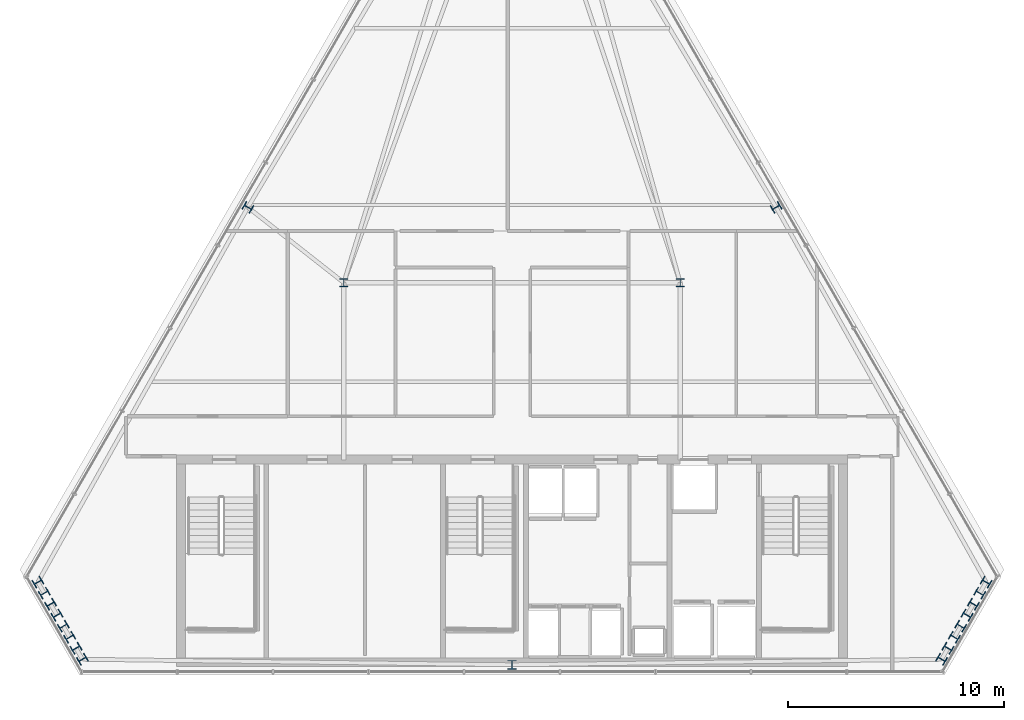
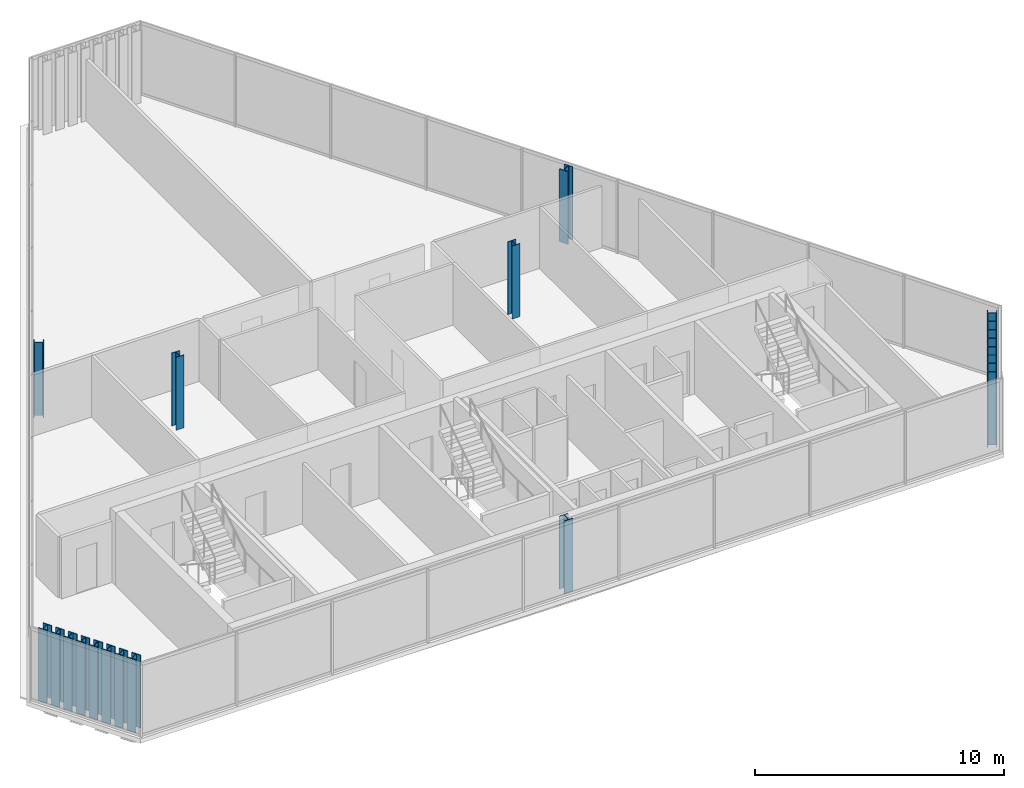
# One storey, part 1 of 35: 21 columns.
"""IFC4 building model written with IfcOpenShell, lengths in metres."""

from ifc_helpers import new_model, si_unit, direction, frame, origin, origin_2d, place, context, subcontext, project, spatial, i_section, extrude, material, material_profile, profile_set, type_object, element, save


model = new_model("IFC4")

# Units and contexts
model_context = context("Model", 3, precision=1e-05, world=origin(), true_north=direction((0.0, 1.0)))
body_context = subcontext(model_context, "Body", "Model", "MODEL_VIEW")
ifc_project = project(units=[si_unit("LENGTHUNIT", "METRE"), si_unit("AREAUNIT", "SQUARE_METRE"), si_unit("VOLUMEUNIT", "CUBIC_METRE"), si_unit("PLANEANGLEUNIT", "RADIAN"), si_unit("MASSUNIT", "GRAM", prefix="KILO")], contexts=[model_context])

# Site, building, storey
site_placement = place(None, origin())
site = spatial("IfcSite", under=ifc_project, at=site_placement, CompositionType="ELEMENT")
building_placement = place(site_placement, origin())
building = spatial("IfcBuilding", under=site, at=building_placement, Name="Ndaravel Arena Tower", CompositionType="ELEMENT")
storey_placement = place(building_placement, frame((0.0, 0.0, 271.199951171875)))
storey = spatial("IfcBuildingStorey", under=building, at=storey_placement, Name="L66", CompositionType="ELEMENT", Elevation=271.199951171875)

# Columns
ifc_material_1 = material(Name="Steel S355", Category="steel")
ifc_material_profile_1 = material_profile(ifc_material_1, i_section(OverallWidth=0.374755859375, OverallDepth=0.37451171875, WebThickness=0.0166015625, FlangeThickness=0.027099609375, FilletRadius=0.01513671875, at=origin_2d()), Name="UC 356x368x202")
ifc_profile_set_1 = profile_set([ifc_material_profile_1], Name="Steel S355")
column_type_1 = type_object("IfcColumnType", Name="COL-CRN-UC202", PredefinedType="COLUMN", material=ifc_profile_set_1)
for number, where, z_axis, x_axis, name in (
    (1, (34.199951171875, 23.199951171875, 0.0), (0.0, 0.0, 1.0), (1.0, 0.0, 0.0), "L66 Interior Spine Column IC-01"),
    (2, (49.800048828125, 23.199951171875, 0.0), (0.0, 0.0, 1.0), (1.0, 0.0, 0.0), "L66 Interior Spine Column IC-02"),
):
    element("IfcColumn", number, at=place(storey_placement, frame(where, z_axis=z_axis, x_axis=x_axis)), inside=storey, type_object=column_type_1, Name=name, PredefinedType="COLUMN", context=body_context, shape_type="SweptSolid", body=[
        extrude(i_section(OverallWidth=0.374755859375, OverallDepth=0.37451171875, WebThickness=0.0166015625, FlangeThickness=0.027099609375, FilletRadius=0.01513671875, at=origin_2d()), origin(), (0.0, 0.0, 1.0), 3.580078125),
    ])
ifc_material_2 = material(Name="Steel S355", Category="steel")
ifc_material_profile_2 = material_profile(ifc_material_2, i_section(OverallWidth=0.406005859375, OverallDepth=0.416015625, WebThickness=0.02978515625, FlangeThickness=0.03662109375, FilletRadius=0.014892578125, at=origin_2d()), Name="HD 400x382")
ifc_profile_set_2 = profile_set([ifc_material_profile_2], Name="Steel S355")
column_type_2 = type_object("IfcColumnType", Name="COL-TUBE-HD382", PredefinedType="COLUMN", material=ifc_profile_set_2)
for number, where, z_axis, x_axis, name in (
    (3, (42.0, 5.47998046875, 0.0), (0.0, 0.0, 1.0), (1.0, 0.0, 0.0), "L66 Framed Tube Column TC-01"),
    (4, (61.921875, 5.735595703125, 0.0), (0.0, 0.0, 1.0), (0.5, 0.866025403784, 0.0), "L66 Framed Tube Column TC-02"),
    (5, (62.216796875, 6.246337890625, 0.0), (0.0, 0.0, 1.0), (0.5, 0.866025403784, 0.0), "L66 Framed Tube Column TC-03"),
    (6, (62.511962890625, 6.75732421875, 0.0), (0.0, 0.0, 1.0), (0.5, 0.866025403784, 0.0), "L66 Framed Tube Column TC-04"),
    (7, (62.806884765625, 7.268310546875, 0.0), (0.0, 0.0, 1.0), (0.5, 0.866025403784, 0.0), "L66 Framed Tube Column TC-05"),
    (8, (63.101806640625, 7.779296875, 0.0), (0.0, 0.0, 1.0), (0.5, 0.866025403784, 0.0), "L66 Framed Tube Column TC-06"),
    (9, (63.39697265625, 8.290283203125, 0.0), (0.0, 0.0, 1.0), (0.5, 0.866025403784, 0.0), "L66 Framed Tube Column TC-07"),
    (10, (63.69189453125, 8.80126953125, 0.0), (0.0, 0.0, 1.0), (0.5, 0.866025403784, 0.0), "L66 Framed Tube Column TC-08"),
    (11, (63.98681640625, 9.312255859375, 0.0), (0.0, 0.0, 1.0), (0.5, 0.866025403784, 0.0), "L66 Framed Tube Column TC-09"),
    (12, (54.247314453125, 26.69287109375, 0.0), (0.0, 0.0, 1.0), (-0.5, 0.866025403784, 0.0), "L66 Framed Tube Column TC-10"),
    (13, (29.752685546875, 26.69287109375, 0.0), (0.0, 0.0, 1.0), (0.5, 0.866025403784, 0.0), "L66 Framed Tube Column TC-19"),
    (14, (20.01318359375, 9.312255859375, 0.0), (0.0, 0.0, 1.0), (-0.5, 0.866025403784, 0.0), "L66 Framed Tube Column TC-20"),
    (15, (20.30810546875, 8.80126953125, 0.0), (0.0, 0.0, 1.0), (-0.5, 0.866025403784, 0.0), "L66 Framed Tube Column TC-21"),
    (16, (20.60302734375, 8.290283203125, 0.0), (0.0, 0.0, 1.0), (-0.5, 0.866025403784, 0.0), "L66 Framed Tube Column TC-22"),
    (17, (20.898193359375, 7.779296875, 0.0), (0.0, 0.0, 1.0), (-0.5, 0.866025403784, 0.0), "L66 Framed Tube Column TC-23"),
    (18, (21.193115234375, 7.268310546875, 0.0), (0.0, 0.0, 1.0), (-0.5, 0.866025403784, 0.0), "L66 Framed Tube Column TC-24"),
    (19, (21.488037109375, 6.75732421875, 0.0), (0.0, 0.0, 1.0), (-0.5, 0.866025403784, 0.0), "L66 Framed Tube Column TC-25"),
    (20, (21.783203125, 6.246337890625, 0.0), (0.0, 0.0, 1.0), (-0.5, 0.866025403784, 0.0), "L66 Framed Tube Column TC-26"),
    (21, (22.078125, 5.735595703125, 0.0), (0.0, 0.0, 1.0), (-0.5, 0.866025403784, 0.0), "L66 Framed Tube Column TC-27"),
):
    element("IfcColumn", number, at=place(storey_placement, frame(where, z_axis=z_axis, x_axis=x_axis)), inside=storey, type_object=column_type_2, Name=name, PredefinedType="COLUMN", context=body_context, shape_type="SweptSolid", body=[
        extrude(i_section(OverallWidth=0.406005859375, OverallDepth=0.416015625, WebThickness=0.02978515625, FlangeThickness=0.03662109375, FilletRadius=0.014892578125, at=origin_2d()), origin(), (0.0, 0.0, 1.0), 3.580078125),
    ])

save(model, "model.ifc")
